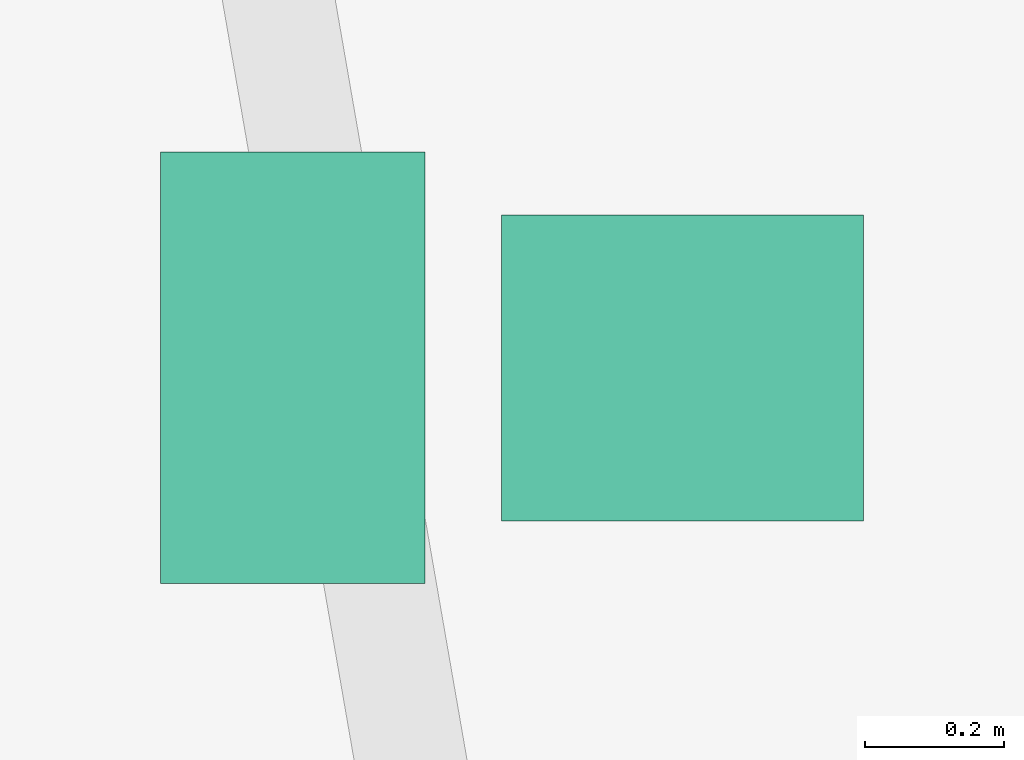
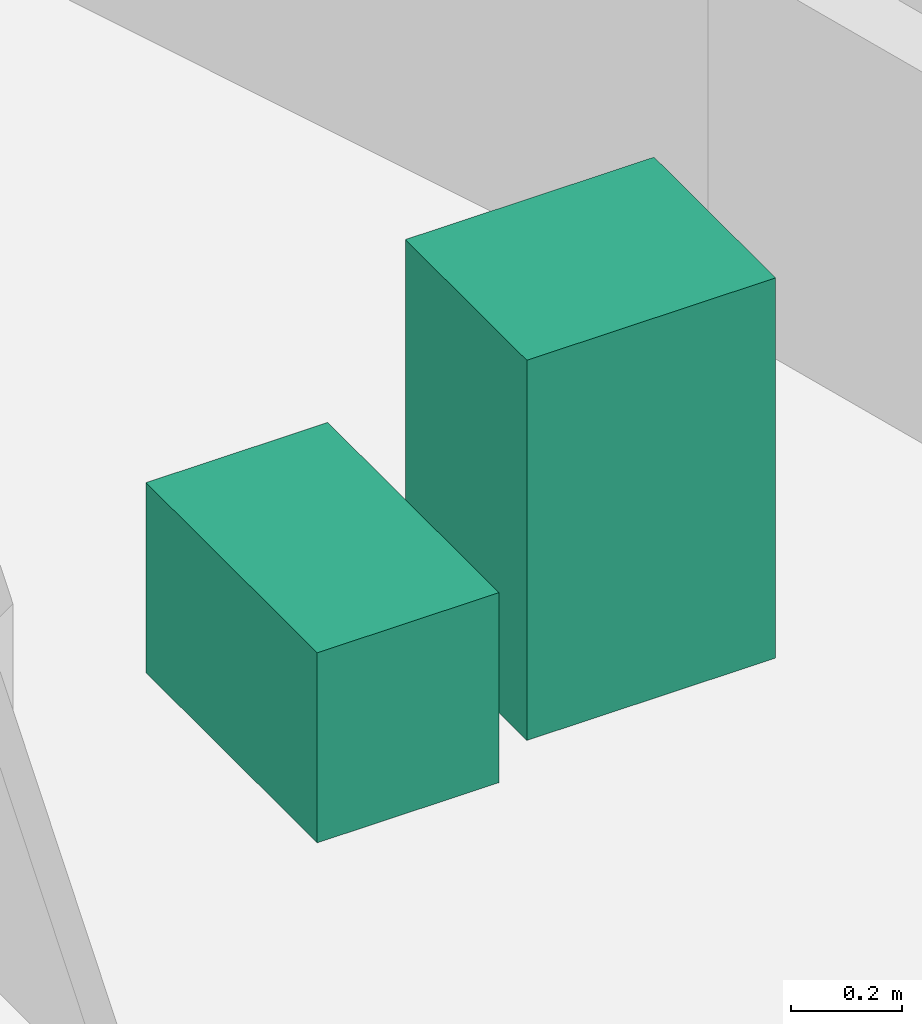
# One storey, part 11 of 11: 2 sanitary terminals.
"""IFC4 building model written with IfcOpenShell, lengths in metres."""

from ifc_helpers import new_model, si_unit, direction, frame, origin, origin_2d, place, context, subcontext, project, spatial, rectangle, extrude, source, transform, mapped, material, type_object, element, save


model = new_model("IFC4")

# Units and contexts
model_context = context("Model", 3, precision=1e-05, world=origin(), true_north=direction((0.0, 1.0)))
body_context = subcontext(model_context, "Body", "Model", "MODEL_VIEW")
ifc_project = project(units=[si_unit("LENGTHUNIT", "METRE"), si_unit("AREAUNIT", "SQUARE_METRE"), si_unit("VOLUMEUNIT", "CUBIC_METRE"), si_unit("PLANEANGLEUNIT", "RADIAN"), si_unit("MASSUNIT", "GRAM", prefix="KILO")], contexts=[model_context])

# Site, building, storey
site_placement = place(None, origin())
site = spatial("IfcSite", under=ifc_project, at=site_placement, CompositionType="ELEMENT")
building_placement = place(site_placement, origin())
building = spatial("IfcBuilding", under=site, at=building_placement, Name="Qafzar Sky-Pleat Residences", CompositionType="ELEMENT")
storey_placement = place(building_placement, frame((0.0, 0.0, 243.60009765625)))
storey = spatial("IfcBuildingStorey", under=building, at=storey_placement, Name="L73", CompositionType="ELEMENT", Elevation=243.60009765625)

# Sanitary terminals
ifc_material = material(Name="Vitreous china sanitaryware")
sanitary_terminal_type_1 = type_object("IfcSanitaryTerminalType", Name="SAN-WC-PAN", PredefinedType="TOILETPAN", material=ifc_material)
shared_shape_1 = source(origin(), body_context, "Body", "SweptSolid", [
    extrude(rectangle(XDim=0.3798828125, YDim=0.6201171875, at=origin_2d()), origin(), (0.0, 0.0, 1.0), 0.419921875),
])
sanitary_terminal_1_placement = place(storey_placement, frame((38.920166015625, 33.411865234375, 0.0), z_axis=(0.0, 0.0, 1.0), x_axis=(1.0, 0.0, 0.0)))
element("IfcSanitaryTerminal", 1, at=sanitary_terminal_1_placement, inside=storey, type_object=sanitary_terminal_type_1, Name="L73 Accessible Shared Washroom WC Pan", PredefinedType="TOILETPAN", context=body_context, shape_type="MappedRepresentation", body=[
    mapped(shared_shape_1, transform((0.0, 0.0, 0.0), x_axis=(1.0, 0.0, 0.0), y_axis=(0.0, 1.0, 0.0), z_axis=(0.0, 0.0, 1.0), scale=1.0)),
])
sanitary_terminal_type_2 = type_object("IfcSanitaryTerminalType", Name="SAN-BASIN", PredefinedType="WASHHANDBASIN", material=ifc_material)
shared_shape_2 = source(origin(), body_context, "Body", "SweptSolid", [
    extrude(rectangle(XDim=0.52001953125, YDim=0.43994140625, at=origin_2d()), origin(), (0.0, 0.0, 1.0), 0.840087890625),
])
sanitary_terminal_2_placement = place(storey_placement, frame((39.480224609375, 33.411865234375, 0.0), z_axis=(0.0, 0.0, 1.0), x_axis=(1.0, 0.0, 0.0)))
element("IfcSanitaryTerminal", 2, at=sanitary_terminal_2_placement, inside=storey, type_object=sanitary_terminal_type_2, Name="L73 Accessible Shared Washroom Pedestal Washbasin", PredefinedType="WASHHANDBASIN", context=body_context, shape_type="MappedRepresentation", body=[
    mapped(shared_shape_2, transform((0.0, 0.0, 0.0), x_axis=(1.0, 0.0, 0.0), y_axis=(0.0, 1.0, 0.0), z_axis=(0.0, 0.0, 1.0), scale=1.0)),
])

save(model, "model.ifc")
